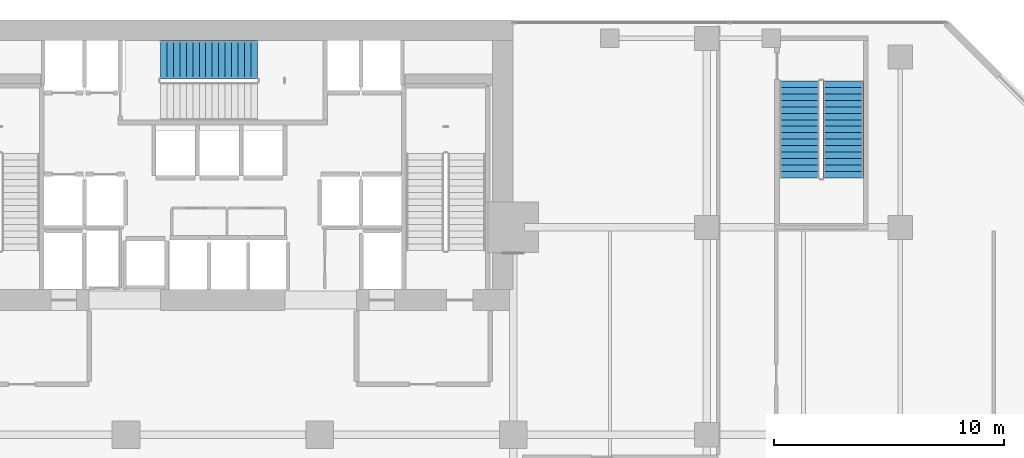
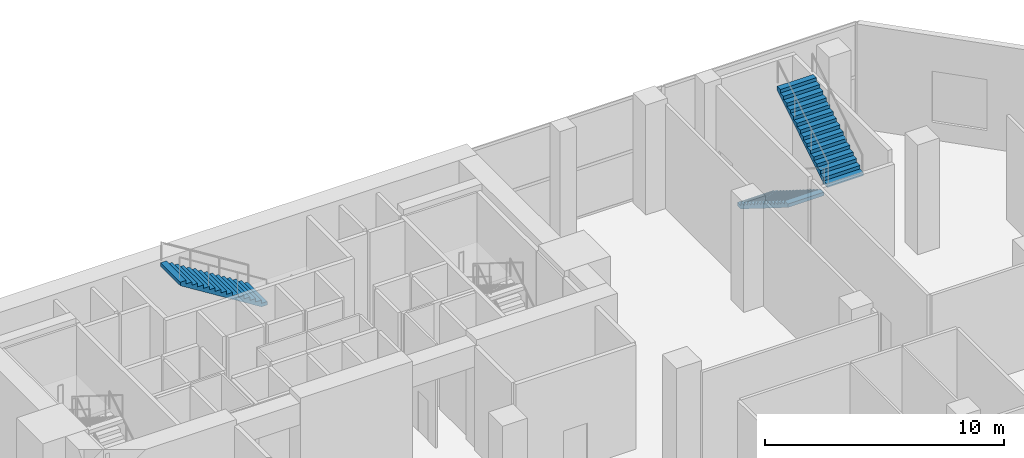
# One storey, part 38 of 40: 3 stair flights, 2 elements without a shape of their own.
"""IFC4 building model written with IfcOpenShell, lengths in metres."""

import ifcopenshell
import ifcopenshell.guid

model = None  # the IFC model being written
_history = None  # IfcOwnerHistory: only IFC2X3 demands one
_inside = {}  # id of a spatial element -> (the spatial element, [elements in it])
_under = {}  # id of a project, library or spatial element -> (it, [spatial elements below it])
_declared = {}  # id of a project -> (the project, [libraries it declares])
_typed = {}  # id of a type object -> (the type object, [elements of that type])
_made_of = {}  # id of a material, layer set ... -> (it, [elements and type objects made of it])


def new_model(schema):
    """Start an empty IFC model of exactly this schema.

    Asked for "IFC4X3", IfcOpenShell would pick the latest addendum, in which some entities
    have other attributes; the version numbers below select the first issue.
    IFC2X3 requires an IfcOwnerHistory on every rooted entity: one is made here for all.
    """
    global model, _history
    if schema == "IFC4X3":
        model = ifcopenshell.file(schema_version=(4, 3, 0, 0))
    else:
        model = ifcopenshell.file(schema=schema)
    _inside.clear()
    _under.clear()
    _declared.clear()
    _typed.clear()
    _made_of.clear()
    _history = None
    if model.schema == "IFC2X3":
        org = make("IfcOrganization", Name="unknown")
        user = make(
            "IfcPersonAndOrganization",
            ThePerson=make("IfcPerson", FamilyName="unknown"),
            TheOrganization=org,
        )
        app = make(
            "IfcApplication",
            ApplicationDeveloper=org,
            Version="unknown",
            ApplicationFullName="unknown",
            ApplicationIdentifier="unknown",
        )
        _history = make(
            "IfcOwnerHistory",
            OwningUser=user,
            OwningApplication=app,
            ChangeAction="ADDED",
            CreationDate=0,
        )
    return model


def make(cls, **values):
    """One entity of the class cls with the attributes given. An attribute that is None is left unset."""
    return model.create_entity(
        cls, **{name: value for name, value in values.items() if value is not None}
    )


def rooted(cls, **values):
    """An entity with a GlobalId (a new one), such as an element, a storey or a relation."""
    return make(cls, GlobalId=ifcopenshell.guid.new(), OwnerHistory=_history, **values)


def si_unit(unit_type, name, prefix=None):
    """IfcSIUnit, for example si_unit("LENGTHUNIT", "METRE", prefix="MILLI")."""
    return make("IfcSIUnit", UnitType=unit_type, Prefix=prefix, Name=name)


def assignment(units):
    """IfcUnitAssignment: the units of a project."""
    return None if units is None else make("IfcUnitAssignment", Units=units)


def point(xyz):
    """IfcCartesianPoint."""
    return None if xyz is None else make("IfcCartesianPoint", Coordinates=xyz)


def direction(xyz):
    """IfcDirection."""
    return None if xyz is None else make("IfcDirection", DirectionRatios=xyz)


def frame(location, z_axis=None, x_axis=None):
    """IfcAxis2Placement3D, a coordinate frame: its origin and axes. An axis left out is left unset."""
    return make(
        "IfcAxis2Placement3D",
        Location=point(location),
        Axis=direction(z_axis),
        RefDirection=direction(x_axis),
    )


def origin():
    """The frame at (0, 0, 0) with its axes left unset."""
    return frame((0.0, 0.0, 0.0))


def place(relative_to, where):
    """IfcLocalPlacement: puts the frame where relative to a parent placement (None: the world)."""
    return make(
        "IfcLocalPlacement", PlacementRelTo=relative_to, RelativePlacement=where
    )


def context(
    kind, dimensions, precision=None, world=None, true_north=None, identifier=None
):
    """IfcGeometricRepresentationContext, for example the 3D "Model" context."""
    return make(
        "IfcGeometricRepresentationContext",
        ContextIdentifier=identifier,
        ContextType=kind,
        CoordinateSpaceDimension=dimensions,
        Precision=precision,
        WorldCoordinateSystem=world,
        TrueNorth=true_north,
    )


def subcontext(parent, identifier, kind, view, scale=None):
    """IfcGeometricRepresentationSubContext, for example "Body" below "Model"."""
    return make(
        "IfcGeometricRepresentationSubContext",
        ContextIdentifier=identifier,
        ContextType=kind,
        ParentContext=parent,
        TargetScale=scale,
        TargetView=view,
    )


def project(units=None, contexts=None):
    """IfcProject with its units and contexts."""
    return rooted(
        "IfcProject",
        Name="project",
        RepresentationContexts=contexts,
        UnitsInContext=assignment(units),
    )


def spatial(cls, under=None, at=None, **own):
    """A site, building, storey or space (cls), placed at a placement, below another one or the project."""
    s = rooted(cls, ObjectPlacement=at, **own)
    if under is not None:
        _under.setdefault(under.id(), (under, []))[1].append(s)
    return s


def polyline(points):
    """IfcPolyline through the points."""
    return make("IfcPolyline", Points=[point(p) for p in points])


def outline(outer, holes=None, kind="AREA"):
    """IfcArbitraryClosedProfileDef: a profile drawn as a closed curve; with holes, ...WithVoids."""
    if holes is None:
        return make("IfcArbitraryClosedProfileDef", ProfileType=kind, OuterCurve=outer)
    return make(
        "IfcArbitraryProfileDefWithVoids",
        ProfileType=kind,
        OuterCurve=outer,
        InnerCurves=holes,
    )


def extrude(swept, where, along, depth):
    """IfcExtrudedAreaSolid: the profile swept, set in the frame where, extruded along a direction by depth."""
    return make(
        "IfcExtrudedAreaSolid",
        SweptArea=swept,
        Position=where,
        ExtrudedDirection=direction(along),
        Depth=depth,
    )


def shape(context_of_items, identifier, shape_type, items):
    """IfcShapeRepresentation: the items that make up one representation, for example the "Body"."""
    return make(
        "IfcShapeRepresentation",
        ContextOfItems=context_of_items,
        RepresentationIdentifier=identifier,
        RepresentationType=shape_type,
        Items=items,
    )


def material(Name=None, Category=None):
    """IfcMaterial."""
    return make("IfcMaterial", Name=Name, Category=Category)


def made_of(thing, what):
    """Note that an element or type object is made of a material, layer set ...; save() writes the relation."""
    if what is not None:
        _made_of.setdefault(what.id(), (what, []))[1].append(thing)
    return thing


def type_object(cls, material=None, **own):
    """A type object (cls), such as IfcWallType, which elements share."""
    return made_of(rooted(cls, **own), material)


def element(
    cls,
    number,
    at=None,
    inside=None,
    cuts=None,
    type_object=None,
    material=None,
    context=None,
    identifier="Body",
    shape_type=None,
    held_by="IfcProductDefinitionShape",
    body=None,
    shapes=None,
    **own,
):
    """One element of the class cls, such as IfcWall. Its Tag is "e" and its number.

    at: its placement. inside: the storey or other place that contains it. cuts: it is an
    opening in that element (IfcRelVoidsElement). A single representation is given by context,
    identifier, shape_type and body (its items); several are given by shapes. held_by: the class
    of the entity that holds the representations. save() writes the other relations.
    """
    e = rooted(cls, Tag="e%d" % number, ObjectPlacement=at, **own)
    if body is not None:
        shapes = [shape(context, identifier, shape_type, body)]
    if shapes is not None:
        e.Representation = make(held_by, Representations=shapes)
    if inside is not None:
        _inside.setdefault(inside.id(), (inside, []))[1].append(e)
    if cuts is not None:
        rooted(
            "IfcRelVoidsElement", RelatingBuildingElement=cuts, RelatedOpeningElement=e
        )
    if type_object is not None:
        _typed.setdefault(type_object.id(), (type_object, []))[1].append(e)
    return made_of(e, material)


def aggregate(whole, parts):
    """IfcRelAggregates: a whole, such as a stair, and the parts it consists of."""
    return rooted("IfcRelAggregates", RelatingObject=whole, RelatedObjects=parts)


def save(model, path):
    """Write the relations noted so far, then the file.

    IfcRelAggregates (storeys below a building ...), IfcRelContainedInSpatialStructure (elements
    in a storey), IfcRelDefinesByType, IfcRelAssociatesMaterial and IfcRelDeclares: one each for
    every whole, place, type object, material and project.
    """
    for whole, parts in _under.values():
        aggregate(whole, parts)
    for where, things in _inside.values():
        rooted(
            "IfcRelContainedInSpatialStructure",
            RelatedElements=things,
            RelatingStructure=where,
        )
    for kind, things in _typed.values():
        rooted("IfcRelDefinesByType", RelatedObjects=things, RelatingType=kind)
    for what, things in _made_of.values():
        rooted("IfcRelAssociatesMaterial", RelatedObjects=things, RelatingMaterial=what)
    for by, libraries in _declared.values():
        rooted("IfcRelDeclares", RelatingContext=by, RelatedDefinitions=libraries)
    model.write(path)


model = new_model("IFC4")

# Units and contexts
model_context = context("Model", 3, precision=1e-05, world=origin(), true_north=direction((0.0, 1.0)))
body_context = subcontext(model_context, "Body", "Model", "MODEL_VIEW")
ifc_project = project(units=[si_unit("LENGTHUNIT", "METRE"), si_unit("AREAUNIT", "SQUARE_METRE"), si_unit("VOLUMEUNIT", "CUBIC_METRE"), si_unit("PLANEANGLEUNIT", "RADIAN"), si_unit("MASSUNIT", "GRAM", prefix="KILO")], contexts=[model_context])

# Site, building, storey
site_placement = place(None, origin())
site = spatial("IfcSite", under=ifc_project, at=site_placement, CompositionType="ELEMENT")
building_placement = place(site_placement, origin())
building = spatial("IfcBuilding", under=site, at=building_placement, Name="Maruvema Waterfront Hotel and Observation Tower", CompositionType="ELEMENT")
storey_placement = place(building_placement, frame((0.0, 0.0, 10.85009765625)))
storey = spatial("IfcBuildingStorey", under=building, at=storey_placement, Name="L02", CompositionType="ELEMENT", Elevation=10.85009765625)

# Stair, stair flight
ifc_material_1 = material(Name="Concrete C50/60", Category="concrete")
stair_type_1 = type_object("IfcStairType", Name="Dogleg Exit Stair 1650 mm (32R x 175.0 mm)", PredefinedType="HALF_TURN_STAIR", material=ifc_material_1)
stair_1_placement = place(storey_placement, origin())
stair_1 = element("IfcStair", 1, at=stair_1_placement, inside=storey, type_object=stair_type_1, Name="L02 ST-02", PredefinedType="HALF_TURN_STAIR")
ifc_material_2 = material(Name="Concrete C50/60", Category="concrete")
stair_flight_type_1 = type_object("IfcStairFlightType", Name="Reinforced Concrete Stair Flight 1650 mm (16R x 175.0 mm)", PredefinedType="STRAIGHT", material=ifc_material_2)
stair_flight_1_placement = place(storey_placement, frame((39.300048828125, 52.27490234375, 2.7998046875), z_axis=(0.0, 0.0, 1.0), x_axis=(-1.0, 0.0, 0.0)))
stair_flight_1 = element("IfcStairFlight", 2, at=stair_flight_1_placement, type_object=stair_flight_type_1, Name="ST-02 flight 2", NumberOfRisers=16, NumberOfTreads=15, PredefinedType="STRAIGHT", RiserHeight=0.175, TreadLength=0.28, context=body_context, shape_type="SweptSolid", body=[
    extrude(outline(polyline([(0.0, 0.0), (0.0, 0.175048828125), (0.280029296875, 0.175048828125), (0.280029296875, 0.35009765625), (0.56005859375, 0.35009765625), (0.56005859375, 0.52490234375), (0.840087890625, 0.52490234375), (0.840087890625, 0.699951171875), (1.1201171875, 0.699951171875), (1.1201171875, 0.875), (1.39990234375, 0.875), (1.39990234375, 1.050048828125), (1.679931640625, 1.050048828125), (1.679931640625, 1.22509765625), (1.9599609375, 1.22509765625), (1.9599609375, 1.39990234375), (2.239990234375, 1.39990234375), (2.239990234375, 1.574951171875), (2.52001953125, 1.574951171875), (2.52001953125, 1.75), (2.800048828125, 1.75), (2.800048828125, 1.925048828125), (3.080078125, 1.925048828125), (3.080078125, 2.10009765625), (3.360107421875, 2.10009765625), (3.360107421875, 2.27490234375), (3.639892578125, 2.27490234375), (3.639892578125, 2.449951171875), (3.919921875, 2.449951171875), (3.919921875, 2.625), (4.199951171875, 2.625), (4.199951171875, 2.800048828125), (4.199951171875, 2.4482421875), (0.28271484375, 0.0), (0.0, 0.0)])), frame((0.0, 0.824951171875, 0.0), z_axis=(0.0, -1.0, 0.0), x_axis=(1.0, 0.0, 0.0)), (0.0, 0.0, 1.0), 1.64990234375),
])
aggregate(stair_1, [stair_flight_1])

# Stair, stair flights
ifc_material_3 = material(Name="Concrete C50/60", Category="concrete")
stair_type_2 = type_object("IfcStairType", Name="Dogleg Exit Stair 1750 mm (32R x 175.0 mm)", PredefinedType="HALF_TURN_STAIR", material=ifc_material_3)
stair_2_placement = place(storey_placement, origin())
stair_2 = element("IfcStair", 3, at=stair_2_placement, inside=storey, type_object=stair_type_2, Name="L02 ST-05", PredefinedType="HALF_TURN_STAIR")
ifc_material_4 = material(Name="Concrete C50/60", Category="concrete")
stair_flight_type_2 = type_object("IfcStairFlightType", Name="Reinforced Concrete Stair Flight 1750 mm (16R x 175.0 mm)", PredefinedType="STRAIGHT", material=ifc_material_4)
stair_flight_2_placement = place(storey_placement, frame((62.824951171875, 51.35009765625, 0.0), z_axis=(0.0, 0.0, 1.0), x_axis=(0.0, -1.0, 0.0)))
stair_flight_2 = element("IfcStairFlight", 4, at=stair_flight_2_placement, type_object=stair_flight_type_2, Name="ST-05 flight 1", NumberOfRisers=16, NumberOfTreads=15, PredefinedType="STRAIGHT", RiserHeight=0.175, TreadLength=0.28, context=body_context, shape_type="SweptSolid", body=[
    extrude(outline(polyline([(0.0, 0.0), (0.0, 0.175048828125), (0.280029296875, 0.175048828125), (0.280029296875, 0.35009765625), (0.56005859375, 0.35009765625), (0.56005859375, 0.52490234375), (0.840087890625, 0.52490234375), (0.840087890625, 0.699951171875), (1.1201171875, 0.699951171875), (1.1201171875, 0.875), (1.39990234375, 0.875), (1.39990234375, 1.050048828125), (1.679931640625, 1.050048828125), (1.679931640625, 1.22509765625), (1.9599609375, 1.22509765625), (1.9599609375, 1.39990234375), (2.239990234375, 1.39990234375), (2.239990234375, 1.574951171875), (2.52001953125, 1.574951171875), (2.52001953125, 1.75), (2.800048828125, 1.75), (2.800048828125, 1.925048828125), (3.080078125, 1.925048828125), (3.080078125, 2.10009765625), (3.360107421875, 2.10009765625), (3.360107421875, 2.27490234375), (3.639892578125, 2.27490234375), (3.639892578125, 2.449951171875), (3.919921875, 2.449951171875), (3.919921875, 2.625), (4.199951171875, 2.625), (4.199951171875, 2.800048828125), (4.199951171875, 2.4482421875), (0.28271484375, 0.0), (0.0, 0.0)])), frame((0.0, 0.875, 0.0), z_axis=(0.0, -1.0, 0.0), x_axis=(1.0, 0.0, 0.0)), (0.0, 0.0, 1.0), 1.75),
])
stair_flight_3_placement = place(storey_placement, frame((64.72509765625, 47.14990234375, 2.7998046875), z_axis=(0.0, 0.0, 1.0), x_axis=(0.0, 1.0, 0.0)))
stair_flight_3 = element("IfcStairFlight", 5, at=stair_flight_3_placement, type_object=stair_flight_type_2, Name="ST-05 flight 2", NumberOfRisers=16, NumberOfTreads=15, PredefinedType="STRAIGHT", RiserHeight=0.175, TreadLength=0.28, context=body_context, shape_type="SweptSolid", body=[
    extrude(outline(polyline([(0.0, 0.0), (0.0, 0.175048828125), (0.280029296875, 0.175048828125), (0.280029296875, 0.35009765625), (0.56005859375, 0.35009765625), (0.56005859375, 0.52490234375), (0.840087890625, 0.52490234375), (0.840087890625, 0.699951171875), (1.1201171875, 0.699951171875), (1.1201171875, 0.875), (1.39990234375, 0.875), (1.39990234375, 1.050048828125), (1.679931640625, 1.050048828125), (1.679931640625, 1.22509765625), (1.9599609375, 1.22509765625), (1.9599609375, 1.39990234375), (2.239990234375, 1.39990234375), (2.239990234375, 1.574951171875), (2.52001953125, 1.574951171875), (2.52001953125, 1.75), (2.800048828125, 1.75), (2.800048828125, 1.925048828125), (3.080078125, 1.925048828125), (3.080078125, 2.10009765625), (3.360107421875, 2.10009765625), (3.360107421875, 2.27490234375), (3.639892578125, 2.27490234375), (3.639892578125, 2.449951171875), (3.919921875, 2.449951171875), (3.919921875, 2.625), (4.199951171875, 2.625), (4.199951171875, 2.800048828125), (4.199951171875, 2.4482421875), (0.28271484375, 0.0), (0.0, 0.0)])), frame((0.0, 0.875, 0.0), z_axis=(0.0, -1.0, 0.0), x_axis=(1.0, 0.0, 0.0)), (0.0, 0.0, 1.0), 1.75),
])
aggregate(stair_2, [stair_flight_2, stair_flight_3])

save(model, "model.ifc")
